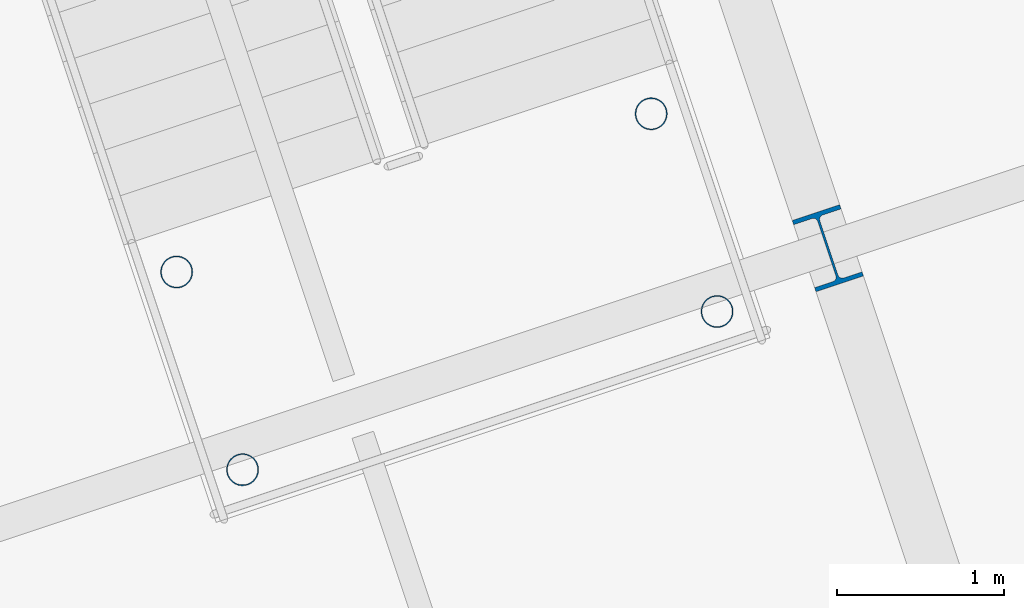
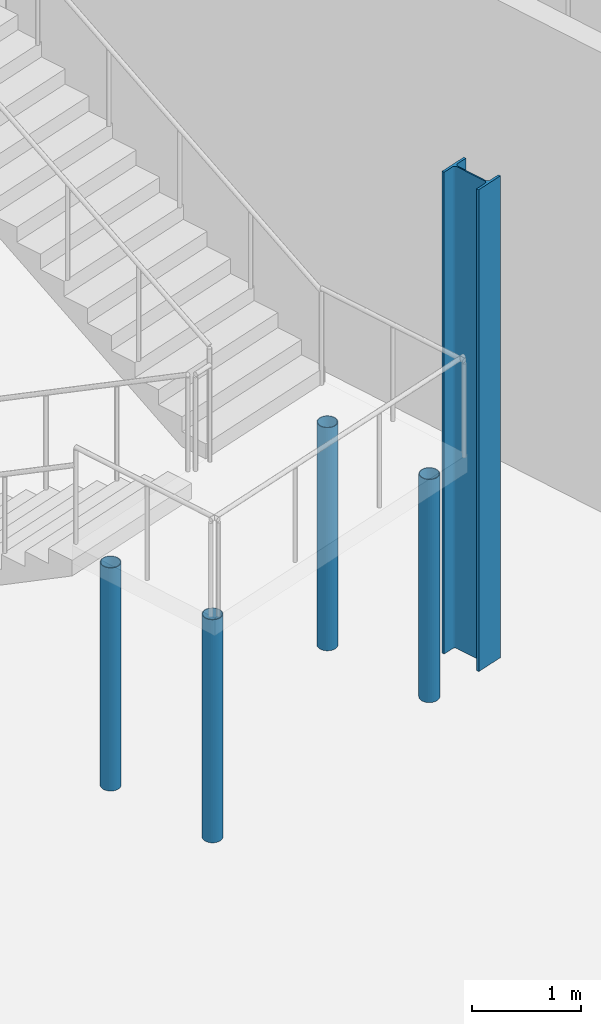
# One storey, part 6 of 158: 5 columns.
"""IFC4 building model written with IfcOpenShell, lengths in metres."""

from ifc_helpers import new_model, si_unit, derived_unit, direction, frame, origin, origin_2d, place, context, subcontext, project, spatial, hollow_circle, i_section, extrude, material, material_profile, profile_set, type_object, element, save


model = new_model("IFC4")

# Units and contexts
model_context = context("Model", 3, precision=1e-05, world=origin(), true_north=direction((0.0, 1.0)))
body_context = subcontext(model_context, "Body", "Model", "MODEL_VIEW")
ifc_project = project(units=[si_unit("LENGTHUNIT", "METRE"), si_unit("AREAUNIT", "SQUARE_METRE"), si_unit("VOLUMEUNIT", "CUBIC_METRE"), si_unit("PLANEANGLEUNIT", "RADIAN"), si_unit("MASSUNIT", "GRAM", prefix="KILO"), si_unit("THERMODYNAMICTEMPERATUREUNIT", "KELVIN"), si_unit("TIMEUNIT", "SECOND"), derived_unit("THERMALTRANSMITTANCEUNIT", [(si_unit("MASSUNIT", "GRAM", prefix="KILO"), 1), (si_unit("THERMODYNAMICTEMPERATUREUNIT", "KELVIN"), -1), (si_unit("TIMEUNIT", "SECOND"), -3)])], contexts=[model_context])

# Site, building, storey
site_placement = place(None, origin())
site = spatial("IfcSite", under=ifc_project, at=site_placement, CompositionType="ELEMENT")
building_placement = place(site_placement, origin())
building = spatial("IfcBuilding", under=site, at=building_placement, Name="Cambertide Market Hall", CompositionType="ELEMENT")
storey_placement = place(building_placement, origin())
storey = spatial("IfcBuildingStorey", under=building, at=storey_placement, Name="L01", CompositionType="ELEMENT", Elevation=0.0)

# Columns
ifc_material_1 = material(Name="Steel S355", Category="steel")
ifc_material_profile_1 = material_profile(ifc_material_1, hollow_circle(Radius=0.096923828125, WallThickness=0.00634765625, at=origin_2d()), Name="CHS 193.7x6.3")
ifc_profile_set_1 = profile_set([ifc_material_profile_1], Name="Steel S355")
column_type_1 = type_object("IfcColumnType", Name="Steel Column CHS 193.7x6.3", PredefinedType="COLUMN", material=ifc_profile_set_1)
for number, where, z_axis, x_axis, name in (
    (1, (130.55517578125, 40.318115234375, 0.0), (0.0, 0.0, 1.0), (1.0, 0.0, 0.0), "Level 1 Column MPST-ST12-1"),
    (2, (133.401123046875, 41.266845703125, 0.0), (0.0, 0.0, 1.0), (1.0, 0.0, 0.0), "Level 1 Column MPST-ST12-2"),
    (3, (130.950439453125, 39.13232421875, 0.0), (0.0, 0.0, 1.0), (1.0, 0.0, 0.0), "Level 1 Column MPST-ST12-3"),
    (4, (133.79638671875, 40.0810546875, 0.0), (0.0, 0.0, 1.0), (1.0, 0.0, 0.0), "Level 1 Column MPST-ST12-4"),
):
    element("IfcColumn", number, at=place(storey_placement, frame(where, z_axis=z_axis, x_axis=x_axis)), inside=storey, type_object=column_type_1, Name=name, PredefinedType="COLUMN", context=body_context, shape_type="SweptSolid", body=[
        extrude(hollow_circle(Radius=0.096923828125, WallThickness=0.00634765625, at=origin_2d()), origin(), (0.0, 0.0, 1.0), 2.5),
    ])
ifc_material_2 = material(Name="Steel S355", Category="steel")
ifc_material_profile_2 = material_profile(ifc_material_2, i_section(OverallWidth=0.300048828125, OverallDepth=0.449951171875, WebThickness=0.013916015625, FlangeThickness=0.02587890625, FilletRadius=0.027099609375, at=origin_2d()), Name="HEB 450")
ifc_profile_set_2 = profile_set([ifc_material_profile_2], Name="Steel S355")
column_type_2 = type_object("IfcColumnType", Name="Steel Column HEB 450", PredefinedType="COLUMN", material=ifc_profile_set_2)
column_placement = place(storey_placement, frame((134.46044921875, 40.46044921875, 0.0), z_axis=(0.0, 0.0, 1.0), x_axis=(0.94868329805, 0.316227766018, 0.0)))
element("IfcColumn", 5, at=column_placement, inside=storey, type_object=column_type_2, Name="Level 1 Column COL-V3-5-3-L01", PredefinedType="COLUMN", context=body_context, shape_type="SweptSolid", body=[
    extrude(i_section(OverallWidth=0.300048828125, OverallDepth=0.449951171875, WebThickness=0.013916015625, FlangeThickness=0.02587890625, FilletRadius=0.027099609375, at=origin_2d()), origin(), (0.0, 0.0, 1.0), 5.39990234375),
])

save(model, "model.ifc")
